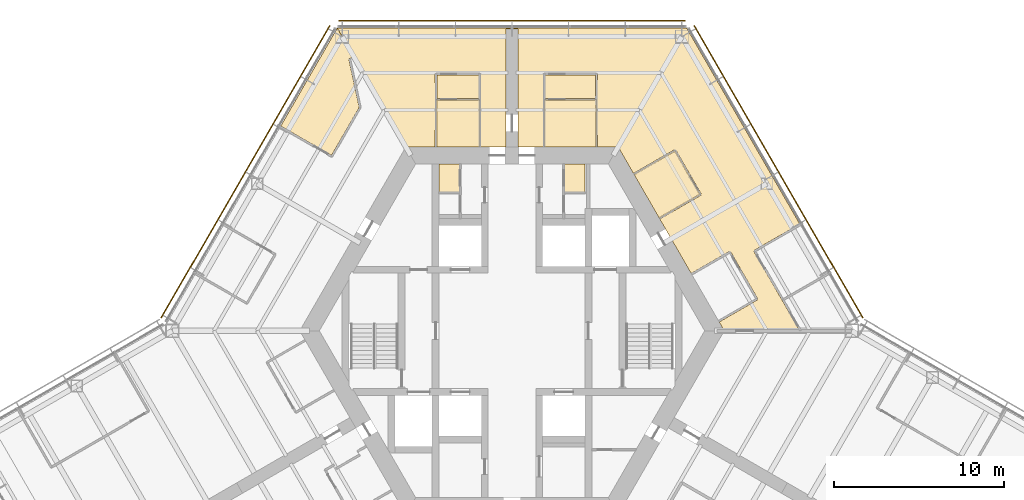
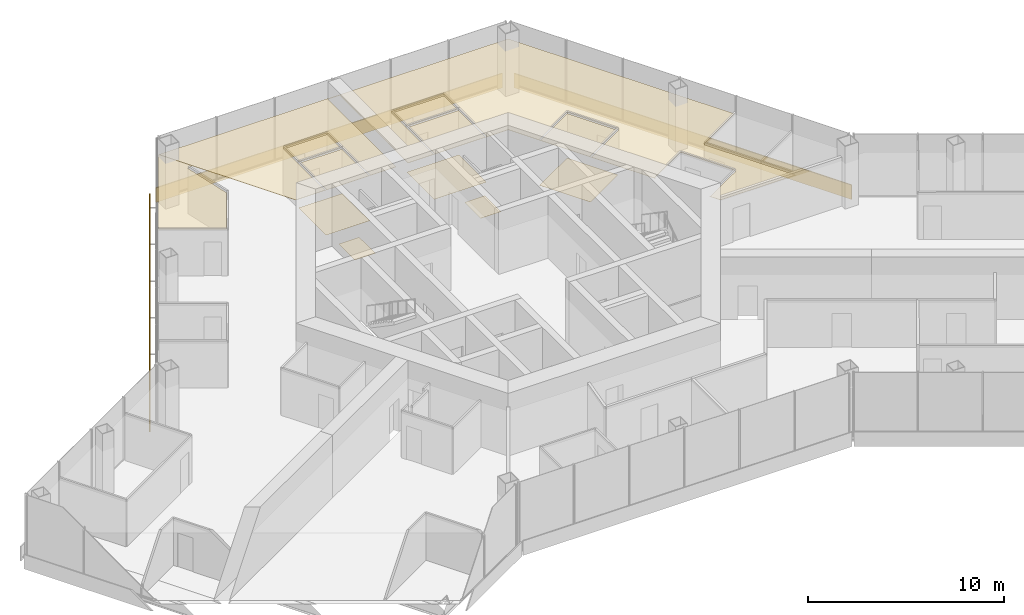
# One storey, part 18 of 18: 13 coverings, 3 shading devices.
"""IFC4 building model written with IfcOpenShell, lengths in metres."""

from ifc_helpers import new_model, si_unit, direction, frame, origin, origin_2d, place, context, subcontext, project, spatial, polyline, rectangle, outline, extrude, material, layer, layer_set, type_object, element, save


model = new_model("IFC4")

# Units and contexts
model_context = context("Model", 3, precision=1e-05, world=origin(), true_north=direction((0.0, 1.0)))
body_context = subcontext(model_context, "Body", "Model", "MODEL_VIEW")
ifc_project = project(units=[si_unit("LENGTHUNIT", "METRE"), si_unit("AREAUNIT", "SQUARE_METRE"), si_unit("VOLUMEUNIT", "CUBIC_METRE"), si_unit("PLANEANGLEUNIT", "RADIAN"), si_unit("MASSUNIT", "GRAM", prefix="KILO")], contexts=[model_context])

# Site, building, storey
site_placement = place(None, origin())
site = spatial("IfcSite", under=ifc_project, at=site_placement, CompositionType="ELEMENT")
building_placement = place(site_placement, origin())
building = spatial("IfcBuilding", under=site, at=building_placement, Name="Kasaneha Research Tower", CompositionType="ELEMENT")
storey_placement = place(building_placement, frame((0.0, 0.0, 168.199951171875)))
storey = spatial("IfcBuildingStorey", under=building, at=storey_placement, Name="L42", CompositionType="ELEMENT", Elevation=168.199951171875)

# Coverings
ifc_material_1 = material(Name="Gypsum ceiling board", Category="gypsum")
ifc_layer_1 = layer(ifc_material_1, 0.02001953125)
ifc_layer_set_1 = layer_set([ifc_layer_1], Name="Suspended ceiling 20")
covering_type_1 = type_object("IfcCoveringType", Name="Suspended ceiling 20", PredefinedType="CEILING", material=ifc_layer_set_1)
covering_1_placement = place(storey_placement, frame((0.0, 0.0, 2.800048828125)))
element("IfcCovering", 1, at=covering_1_placement, inside=storey, type_object=covering_type_1, Name="Ceiling L42-27", PredefinedType="CEILING", context=body_context, shape_type="SweptSolid", body=[
    extrude(outline(polyline([(1.89990234375, 10.824951171875), (1.89990234375, 10.844970703125), (1.949951171875, 10.844970703125), (1.95458984375, 13.570068359375), (4.91650390625, 13.570068359375), (4.9208984375, 10.844970703125), (4.970947265625, 10.844970703125), (4.970947265625, 10.824951171875), (1.89990234375, 10.824951171875)])), origin(), (0.0, 0.0, 1.0), 0.02001953125),
])
covering_2_placement = place(storey_placement, frame((0.0, 0.0, 2.800048828125)))
element("IfcCovering", 2, at=covering_2_placement, inside=storey, type_object=covering_type_1, Name="Ceiling L42-28", PredefinedType="CEILING", context=body_context, shape_type="SweptSolid", body=[
    extrude(outline(polyline([(4.91650390625, 13.669921875), (1.954345703125, 13.669921875), (1.9501953125, 15.074951171875), (4.9208984375, 15.074951171875), (4.91650390625, 13.669921875)])), origin(), (0.0, 0.0, 1.0), 0.02001953125),
])
covering_3_placement = place(storey_placement, frame((0.0, 0.0, 2.800048828125)))
element("IfcCovering", 3, at=covering_3_placement, inside=storey, type_object=covering_type_1, Name="Ceiling L42-29", PredefinedType="CEILING", context=body_context, shape_type="SweptSolid", body=[
    extrude(outline(polyline([(7.1748046875, 9.222900390625), (7.19189453125, 9.23291015625), (7.217041015625, 9.189697265625), (9.581298828125, 10.5546875), (11.03125, 8.043212890625), (8.6669921875, 6.67822265625), (8.69189453125, 6.635009765625), (8.6748046875, 6.625), (7.1748046875, 9.222900390625)])), origin(), (0.0, 0.0, 1.0), 0.02001953125),
])
covering_4_placement = place(storey_placement, frame((0.0, 0.0, 2.800048828125)))
element("IfcCovering", 4, at=covering_4_placement, inside=storey, type_object=covering_type_1, Name="Ceiling L42-33", PredefinedType="CEILING", context=body_context, shape_type="SweptSolid", body=[
    extrude(outline(polyline([(12.1923828125, 0.572265625), (12.217041015625, 0.529541015625), (14.451416015625, 1.819580078125), (14.426513671875, 1.86279296875), (14.4267578125, 1.863037109375), (14.4267578125, 1.863037109375), (14.4697265625, 1.8876953125), (12.86962890625, 4.658935546875), (12.82666015625, 4.63427734375), (12.82666015625, 4.634521484375), (12.826171875, 4.63427734375), (12.801513671875, 4.67724609375), (10.56689453125, 3.38720703125), (10.591796875, 3.344482421875), (10.574462890625, 3.33447265625), (8.675048828125, 6.62451171875), (8.692138671875, 6.634521484375), (8.717041015625, 6.591552734375), (11.12451171875, 7.981689453125), (11.099853515625, 8.024658203125), (11.10009765625, 8.02490234375), (11.099853515625, 8.025146484375), (11.142822265625, 8.0498046875), (9.642822265625, 10.64794921875), (9.60009765625, 10.623291015625), (9.599853515625, 10.623291015625), (9.599609375, 10.623046875), (9.57470703125, 10.666259765625), (7.1669921875, 9.2763671875), (7.191650390625, 9.2333984375), (7.174560546875, 9.223388671875), (6.249755859375, 10.824951171875), (4.971435546875, 10.824951171875), (4.971435546875, 10.844970703125), (5.02099609375, 10.844970703125), (5.016357421875, 13.625), (5.02099609375, 15.124755859375), (4.971435546875, 15.125), (4.971435546875, 15.12548828125), (4.970947265625, 15.12548828125), (4.970947265625, 15.175048828125), (1.89990234375, 15.175048828125), (1.89990234375, 15.125244140625), (1.899658203125, 15.125244140625), (1.899658203125, 15.125), (1.85009765625, 15.124755859375), (1.8544921875, 13.625), (1.85009765625, 10.844970703125), (1.8994140625, 10.844970703125), (1.8994140625, 10.824951171875), (0.35009765625, 10.824951171875), (0.35009765625, 11.72509765625), (0.35009765625, 12.72509765625), (0.35009765625, 17.7705078125), (0.35009765625, 17.7705078125), (0.0, 17.7705078125), (0.0, 17.820556640625), (10.28857421875, 17.820556640625), (16.94677734375, 6.28857421875), (14.261962890625, 4.738525390625), (14.286865234375, 4.6953125), (14.28662109375, 4.695068359375), (14.28662109375, 4.695068359375), (14.24365234375, 4.670166015625), (15.9130859375, 1.787841796875), (16.93994140625, 0.0), (12.49951171875, 0.0), (12.175048828125, 0.562255859375), (12.1923828125, 0.572265625)])), origin(), (0.0, 0.0, 1.0), 0.02001953125),
])
covering_5_placement = place(storey_placement, frame((0.0, 0.0, 2.800048828125)))
element("IfcCovering", 5, at=covering_5_placement, inside=storey, type_object=covering_type_1, Name="Ceiling L42-34", PredefinedType="CEILING", context=body_context, shape_type="SweptSolid", body=[
    extrude(outline(polyline([(-4.470947265625, 10.824951171875), (-4.470947265625, 10.844970703125), (-4.4208984375, 10.844970703125), (-4.41650390625, 13.570068359375), (-1.95458984375, 13.570068359375), (-1.949951171875, 10.844970703125), (-1.89990234375, 10.844970703125), (-1.89990234375, 10.824951171875), (-4.470947265625, 10.824951171875)])), origin(), (0.0, 0.0, 1.0), 0.02001953125),
])
covering_6_placement = place(storey_placement, frame((0.0, 0.0, 2.800048828125)))
element("IfcCovering", 6, at=covering_6_placement, inside=storey, type_object=covering_type_1, Name="Ceiling L42-35", PredefinedType="CEILING", context=body_context, shape_type="SweptSolid", body=[
    extrude(outline(polyline([(-1.9501953125, 15.074951171875), (-1.95458984375, 13.669921875), (-4.41650390625, 13.669921875), (-4.4208984375, 15.074951171875), (-1.9501953125, 15.074951171875)])), origin(), (0.0, 0.0, 1.0), 0.02001953125),
])
covering_7_placement = place(storey_placement, frame((0.0, 0.0, 2.800048828125)))
element("IfcCovering", 7, at=covering_7_placement, inside=storey, type_object=covering_type_1, Name="Ceiling L42-36", PredefinedType="CEILING", context=body_context, shape_type="SweptSolid", body=[
    extrude(outline(polyline([(-0.35009765625, 11.72509765625), (-0.35009765625, 10.824951171875), (-1.8994140625, 10.824951171875), (-1.8994140625, 10.844970703125), (-1.85009765625, 10.844970703125), (-1.854736328125, 13.625), (-1.85009765625, 15.124755859375), (-1.89990234375, 15.125), (-1.89990234375, 15.12548828125), (-1.89990234375, 15.175048828125), (-4.470947265625, 15.175048828125), (-4.470947265625, 15.125244140625), (-4.471435546875, 15.125244140625), (-4.471435546875, 15.125), (-4.52099609375, 15.124755859375), (-4.516357421875, 13.625), (-4.52099609375, 10.844970703125), (-4.471435546875, 10.844970703125), (-4.471435546875, 10.824951171875), (-6.249755859375, 10.824951171875), (-10.28857421875, 17.820556640625), (0.0, 17.820556640625), (0.0, 17.7705078125), (-0.35009765625, 17.7705078125), (-0.35009765625, 17.7705078125), (-0.35009765625, 12.72509765625), (-0.35009765625, 11.72509765625)])), origin(), (0.0, 0.0, 1.0), 0.02001953125),
])
covering_8_placement = place(storey_placement, frame((0.0, 0.0, 2.800048828125)))
element("IfcCovering", 8, at=covering_8_placement, inside=storey, type_object=covering_type_1, Name="Ceiling L42-37", PredefinedType="CEILING", context=body_context, shape_type="SweptSolid", body=[
    extrude(outline(polyline([(-6.249267578125, 10.824951171875), (-9.308837890625, 16.122314453125), (-9.56396484375, 16.02392578125), (-9.56396484375, 16.02392578125), (-9.61279296875, 16.013427734375), (-8.99609375, 13.15771484375), (-10.6279296875, 10.332763671875), (-13.598388671875, 12.0478515625), (-13.623291015625, 12.004638671875), (-13.640869140625, 12.0146484375), (-10.28857421875, 17.821044921875), (-6.249267578125, 10.824951171875)])), origin(), (0.0, 0.0, 1.0), 0.02001953125),
])

# Shading devices
ifc_material_2 = material(Name="Terracotta", Category="masonry")
ifc_layer_2 = layer(ifc_material_2, 0.06005859375)
ifc_layer_set_2 = layer_set([ifc_layer_2], Name="Terracotta baguette screen")
shading_device_type = type_object("IfcShadingDeviceType", Name="Terracotta baguette screen", PredefinedType="USERDEFINED", material=ifc_layer_set_2)
shading_device_1_placement = place(storey_placement, frame((15.696044921875, 9.35498046875, -0.449951171875), z_axis=(0.0, 0.0, 1.0), x_axis=(-0.499999979232, 0.866025415775, 0.0)))
element("IfcShadingDevice", 9, at=shading_device_1_placement, inside=storey, type_object=shading_device_type, Name="Baguette screen L42 06", ObjectType="TERRACOTTA BAGUETTE SCREEN", PredefinedType="USERDEFINED", context=body_context, shape_type="SweptSolid", body=[
    extrude(rectangle(XDim=19.8857421875, YDim=0.06005859375, at=origin_2d()), origin(), (0.0, 0.0, 1.0), 0.89990234375),
])
shading_device_2_placement = place(storey_placement, frame((0.0, 18.2705078125, -0.449951171875), z_axis=(0.0, 0.0, 1.0), x_axis=(-1.0, 0.0, 0.0)))
element("IfcShadingDevice", 10, at=shading_device_2_placement, inside=storey, type_object=shading_device_type, Name="Baguette screen L42 07", ObjectType="TERRACOTTA BAGUETTE SCREEN", PredefinedType="USERDEFINED", context=body_context, shape_type="SweptSolid", body=[
    extrude(rectangle(XDim=20.392822265625, YDim=0.06005859375, at=origin_2d()), origin(), (0.0, 0.0, 1.0), 0.89990234375),
])
shading_device_3_placement = place(storey_placement, frame((-15.696044921875, 9.35498046875, -0.449951171875), z_axis=(0.0, 0.0, 1.0), x_axis=(-0.499999979232, -0.866025415775, 0.0)))
element("IfcShadingDevice", 11, at=shading_device_3_placement, inside=storey, type_object=shading_device_type, Name="Baguette screen L42 08", ObjectType="TERRACOTTA BAGUETTE SCREEN", PredefinedType="USERDEFINED", context=body_context, shape_type="SweptSolid", body=[
    extrude(rectangle(XDim=19.8857421875, YDim=0.06005859375, at=origin_2d()), origin(), (0.0, 0.0, 1.0), 0.89990234375),
])

# Coverings
ifc_material_3 = material(Name="Vinyl sheet flooring", Category="plastic")
ifc_layer_3 = layer(ifc_material_3, 0.0048828125)
ifc_layer_set_3 = layer_set([ifc_layer_3], Name="Wet room sheet flooring 5")
covering_type_2 = type_object("IfcCoveringType", Name="Wet room sheet flooring 5", PredefinedType="FLOORING", material=ifc_layer_set_3)
covering_9_placement = place(storey_placement, origin())
element("IfcCovering", 12, at=covering_9_placement, inside=storey, type_object=covering_type_2, Name="Floor finish L42-07", PredefinedType="FLOORING", context=body_context, shape_type="SweptSolid", body=[
    extrude(outline(polyline([(-4.300048828125, 8.175048828125), (-4.300048828125, 9.824951171875), (-3.10009765625, 9.824951171875), (-3.10009765625, 8.175048828125), (-4.300048828125, 8.175048828125)])), origin(), (0.0, 0.0, 1.0), 0.005126953125),
])
covering_10_placement = place(storey_placement, origin())
element("IfcCovering", 13, at=covering_10_placement, inside=storey, type_object=covering_type_2, Name="Floor finish L42-10", PredefinedType="FLOORING", context=body_context, shape_type="SweptSolid", body=[
    extrude(outline(polyline([(4.300048828125, 8.175048828125), (3.10009765625, 8.175048828125), (3.10009765625, 9.824951171875), (4.300048828125, 9.824951171875), (4.300048828125, 8.175048828125)])), origin(), (0.0, 0.0, 1.0), 0.005126953125),
])
covering_11_placement = place(storey_placement, origin())
element("IfcCovering", 14, at=covering_11_placement, inside=storey, type_object=covering_type_2, Name="Floor finish L42-27", PredefinedType="FLOORING", context=body_context, shape_type="SweptSolid", body=[
    extrude(outline(polyline([(4.970947265625, 13.625), (4.970947265625, 10.824951171875), (1.89990234375, 10.824951171875), (1.89990234375, 13.625), (4.970947265625, 13.625)])), origin(), (0.0, 0.0, 1.0), 0.005126953125),
])
covering_12_placement = place(storey_placement, origin())
element("IfcCovering", 15, at=covering_12_placement, inside=storey, type_object=covering_type_2, Name="Floor finish L42-29", PredefinedType="FLOORING", context=body_context, shape_type="SweptSolid", body=[
    extrude(outline(polyline([(11.099609375, 8.02490234375), (8.6748046875, 6.625), (7.1748046875, 9.222900390625), (9.599609375, 10.623046875), (11.099609375, 8.02490234375)])), origin(), (0.0, 0.0, 1.0), 0.005126953125),
])
covering_13_placement = place(storey_placement, origin())
element("IfcCovering", 16, at=covering_13_placement, inside=storey, type_object=covering_type_2, Name="Floor finish L42-34", PredefinedType="FLOORING", context=body_context, shape_type="SweptSolid", body=[
    extrude(outline(polyline([(-1.89990234375, 13.625), (-1.89990234375, 10.824951171875), (-4.470947265625, 10.824951171875), (-4.470947265625, 13.625), (-1.89990234375, 13.625)])), origin(), (0.0, 0.0, 1.0), 0.005126953125),
])

save(model, "model.ifc")
